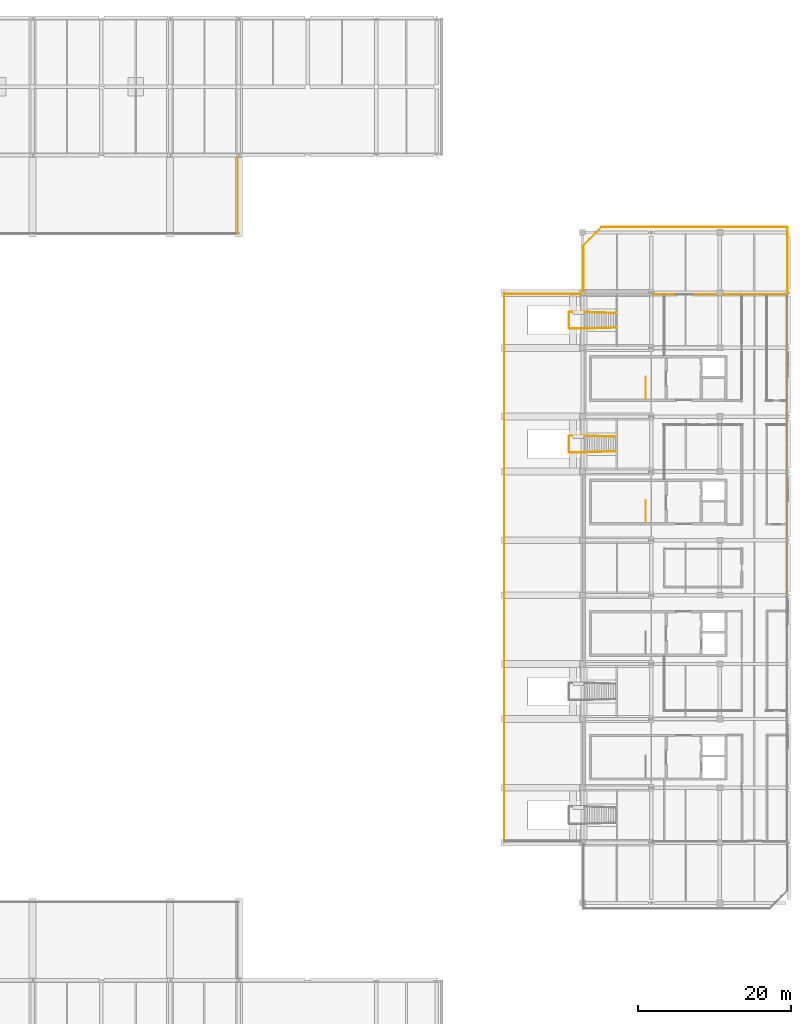
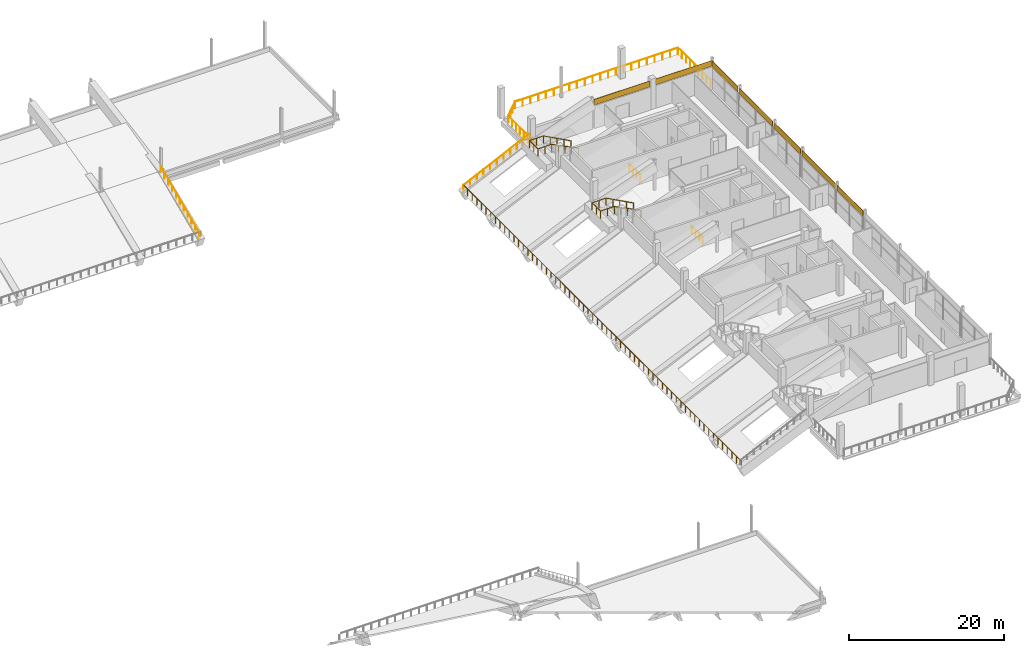
# One storey, part 66 of 66: 11 railings, 7 coverings.
"""IFC4 building model written with IfcOpenShell, lengths in metres."""

from ifc_helpers import new_model, si_unit, direction, frame, origin, origin_2d, place, context, subcontext, project, spatial, rectangle, circle, extrude, material, layer, layer_set, type_object, element, save


model = new_model("IFC4")

# Units and contexts
model_context = context("Model", 3, precision=1e-05, world=origin(), true_north=direction((0.0, 1.0)))
body_context = subcontext(model_context, "Body", "Model", "MODEL_VIEW")
ifc_project = project(units=[si_unit("LENGTHUNIT", "METRE"), si_unit("AREAUNIT", "SQUARE_METRE"), si_unit("VOLUMEUNIT", "CUBIC_METRE"), si_unit("PLANEANGLEUNIT", "RADIAN"), si_unit("MASSUNIT", "GRAM", prefix="KILO"), si_unit("THERMODYNAMICTEMPERATUREUNIT", "KELVIN"), si_unit("POWERUNIT", "WATT")], contexts=[model_context])

# Site, building, storey
site_placement = place(None, origin())
site = spatial("IfcSite", under=ifc_project, at=site_placement, CompositionType="ELEMENT")
building_placement = place(site_placement, origin())
building = spatial("IfcBuilding", under=site, at=building_placement, Name="Sindhuravela Promenade Stadium", CompositionType="ELEMENT")
storey_placement = place(building_placement, frame((0.0, 0.0, 19.199951171875)))
storey = spatial("IfcBuildingStorey", under=building, at=storey_placement, Name="L04", CompositionType="ELEMENT", Elevation=19.199951171875)

# Coverings
ifc_material_1 = material(Name="Polychrome trencadis ceramic mosaic", Category="masonry")
ifc_layer_1 = layer(ifc_material_1, 0.034912109375)
ifc_layer_set_1 = layer_set([ifc_layer_1], Name="Polychrome trencadis ceramic mosaic")
covering_type_1 = type_object("IfcCoveringType", Name="CV-TRENC-1", PredefinedType="CLADDING", material=ifc_layer_set_1)
covering_1_placement = place(storey_placement, frame((202.590087890625, 116.820068359375, 3.55517578125), z_axis=(0.0, 0.0, 1.0), x_axis=(1.0, 0.0, 0.0)))
element("IfcCovering", 1, at=covering_1_placement, inside=storey, type_object=covering_type_1, Name="Trencadis ceramic mosaic spandrel frieze EAST L04-228", PredefinedType="CLADDING", context=body_context, shape_type="SweptSolid", body=[
    extrude(rectangle(XDim=8.300048828125, YDim=0.034912109375, at=origin_2d()), origin(), (0.0, 0.0, 1.0), 0.905029296875),
])
for number, where, z_axis, x_axis, name in (
    (2, (206.820068359375, 105.300048828125, 3.55517578125), (0.0, 0.0, 1.0), (0.0, -1.0, 0.0), "Trencadis ceramic mosaic spandrel frieze EAST L04-230"),
    (3, (206.820068359375, 89.10009765625, 3.55517578125), (0.0, 0.0, 1.0), (0.0, -1.0, 0.0), "Trencadis ceramic mosaic spandrel frieze EAST L04-232"),
):
    element("IfcCovering", number, at=place(storey_placement, frame(where, z_axis=z_axis, x_axis=x_axis)), inside=storey, type_object=covering_type_1, Name=name, PredefinedType="CLADDING", context=body_context, shape_type="SweptSolid", body=[
        extrude(rectangle(XDim=8.570068359375, YDim=0.034912109375, at=origin_2d()), origin(), (0.0, 0.0, 1.0), 0.905029296875),
    ])
ifc_layer_2 = layer(ifc_material_1, 0.050048828125)
ifc_layer_set_2 = layer_set([ifc_layer_2], Name="Polychrome trencadis ceramic mosaic")
covering_type_2 = type_object("IfcCoveringType", Name="CV-TRENC-2", PredefinedType="CLADDING", material=ifc_layer_set_2)
covering_2_placement = place(storey_placement, frame((193.387451171875, 116.820068359375, 3.55517578125), z_axis=(0.0, 0.0, 1.0), x_axis=(1.0, 0.0, 0.0)))
element("IfcCovering", 4, at=covering_2_placement, inside=storey, type_object=covering_type_2, Name="Trencadis ceramic mosaic spandrel frieze EAST L04-227", PredefinedType="CLADDING", context=body_context, shape_type="SweptSolid", body=[
    extrude(rectangle(XDim=8.344970703125, YDim=0.050048828125, at=origin_2d()), origin(), (0.0, 0.0, 1.0), 0.905029296875),
])
covering_3_placement = place(storey_placement, frame((206.820068359375, 113.37744140625, 3.55517578125), z_axis=(0.0, 0.0, 1.0), x_axis=(0.0, -1.0, 0.0)))
element("IfcCovering", 5, at=covering_3_placement, inside=storey, type_object=covering_type_2, Name="Trencadis ceramic mosaic spandrel frieze EAST L04-229", PredefinedType="CLADDING", context=body_context, shape_type="SweptSolid", body=[
    extrude(rectangle(XDim=6.72509765625, YDim=0.050048828125, at=origin_2d()), origin(), (0.0, 0.0, 1.0), 0.905029296875),
])
for number, where, z_axis, x_axis, name in (
    (6, (206.820068359375, 97.199951171875, 3.55517578125), (0.0, 0.0, 1.0), (0.0, -1.0, 0.0), "Trencadis ceramic mosaic spandrel frieze EAST L04-231"),
    (7, (206.820068359375, 81.0, 3.55517578125), (0.0, 0.0, 1.0), (0.0, -1.0, 0.0), "Trencadis ceramic mosaic spandrel frieze EAST L04-233"),
):
    element("IfcCovering", number, at=place(storey_placement, frame(where, z_axis=z_axis, x_axis=x_axis)), inside=storey, type_object=covering_type_2, Name=name, PredefinedType="CLADDING", context=body_context, shape_type="SweptSolid", body=[
        extrude(rectangle(XDim=6.77001953125, YDim=0.050048828125, at=origin_2d()), origin(), (0.0, 0.0, 1.0), 0.905029296875),
    ])

# Railings
ifc_material_2 = material(Name="Architectural wrought steel E350", Category="steel")
railing_type_1 = type_object("IfcRailingType", Name="RL-BAL-1150", PredefinedType="BALUSTRADE", material=ifc_material_2)
railing_1_placement = place(storey_placement, frame((180.139892578125, 117.139892578125, 0.0)))
element("IfcRailing", 8, at=railing_1_placement, inside=storey, type_object=railing_type_1, Name="Terrace wrought balustrade BL01-37", PredefinedType="BALUSTRADE", context=body_context, shape_type="SweptSolid", body=[
    extrude(circle(Radius=0.02392578125, at=origin_2d()), frame((0.0, 0.0, 1.1259765625), z_axis=(0.0, 1.0, 0.0), x_axis=(-1.0, 0.0, 0.0)), (0.0, 0.0, 1.0), 6.10205078125),
    extrude(circle(Radius=0.02099609375, at=origin_2d()), origin(), (0.0, 0.0, 1.0), 1.101806640625),
    extrude(circle(Radius=0.02099609375, at=origin_2d()), frame((0.0, 1.01708984375, 0.0)), (0.0, 0.0, 1.0), 1.101806640625),
    extrude(circle(Radius=0.02099609375, at=origin_2d()), frame((0.0, 2.033935546875, 0.0)), (0.0, 0.0, 1.0), 1.101806640625),
    extrude(circle(Radius=0.02099609375, at=origin_2d()), frame((0.0, 3.051025390625, 0.0)), (0.0, 0.0, 1.0), 1.101806640625),
    extrude(circle(Radius=0.02099609375, at=origin_2d()), frame((0.0, 4.068115234375, 0.0)), (0.0, 0.0, 1.0), 1.101806640625),
    extrude(circle(Radius=0.02099609375, at=origin_2d()), frame((0.0, 5.0849609375, 0.0)), (0.0, 0.0, 1.0), 1.101806640625),
    extrude(circle(Radius=0.02099609375, at=origin_2d()), frame((0.0, 6.10205078125, 0.0)), (0.0, 0.0, 1.0), 1.101806640625),
])
railing_2_placement = place(storey_placement, frame((180.139892578125, 123.241943359375, 0.0)))
element("IfcRailing", 9, at=railing_2_placement, inside=storey, type_object=railing_type_1, Name="Terrace wrought balustrade BL01-38", PredefinedType="BALUSTRADE", context=body_context, shape_type="SweptSolid", body=[
    extrude(circle(Radius=0.02392578125, at=origin_2d()), frame((0.0, 0.0, 1.1259765625), z_axis=(0.7071067811865475, 0.7071067811865475, 0.0), x_axis=(-0.7071067811865476, 0.7071067811865476, 0.0)), (0.0, 0.0, 1.0), 3.34912109375),
    extrude(circle(Radius=0.02099609375, at=origin_2d()), origin(), (0.0, 0.0, 1.0), 1.101806640625),
    extrude(circle(Radius=0.02099609375, at=origin_2d()), frame((0.789306640625, 0.789306640625, 0.0)), (0.0, 0.0, 1.0), 1.101806640625),
    extrude(circle(Radius=0.02099609375, at=origin_2d()), frame((1.578857421875, 1.578857421875, 0.0)), (0.0, 0.0, 1.0), 1.101806640625),
    extrude(circle(Radius=0.02099609375, at=origin_2d()), frame((2.3681640625, 2.3681640625, 0.0)), (0.0, 0.0, 1.0), 1.101806640625),
])
railing_3_placement = place(storey_placement, frame((182.508056640625, 125.610107421875, 0.0)))
element("IfcRailing", 10, at=railing_3_placement, inside=storey, type_object=railing_type_1, Name="Terrace wrought balustrade BL01-39", PredefinedType="BALUSTRADE", context=body_context, shape_type="SweptSolid", body=[
    extrude(circle(Radius=0.02392578125, at=origin_2d()), frame((0.0, 0.0, 1.1259765625), z_axis=(1.0, 0.0, 0.0), x_axis=(0.0, 1.0, 0.0)), (0.0, 0.0, 1.0), 24.35205078125),
    extrude(circle(Radius=0.02099609375, at=origin_2d()), origin(), (0.0, 0.0, 1.0), 1.101806640625),
    extrude(circle(Radius=0.02099609375, at=origin_2d()), frame((1.15966796875, 0.0, 0.0)), (0.0, 0.0, 1.0), 1.101806640625),
    extrude(circle(Radius=0.02099609375, at=origin_2d()), frame((2.3193359375, 0.0, 0.0)), (0.0, 0.0, 1.0), 1.101806640625),
    extrude(circle(Radius=0.02099609375, at=origin_2d()), frame((3.478759765625, 0.0, 0.0)), (0.0, 0.0, 1.0), 1.101806640625),
    extrude(circle(Radius=0.02099609375, at=origin_2d()), frame((4.638427734375, 0.0, 0.0)), (0.0, 0.0, 1.0), 1.101806640625),
    extrude(circle(Radius=0.02099609375, at=origin_2d()), frame((5.798095703125, 0.0, 0.0)), (0.0, 0.0, 1.0), 1.101806640625),
    extrude(circle(Radius=0.02099609375, at=origin_2d()), frame((6.957763671875, 0.0, 0.0)), (0.0, 0.0, 1.0), 1.101806640625),
    extrude(circle(Radius=0.02099609375, at=origin_2d()), frame((8.117431640625, 0.0, 0.0)), (0.0, 0.0, 1.0), 1.101806640625),
    extrude(circle(Radius=0.02099609375, at=origin_2d()), frame((9.27685546875, 0.0, 0.0)), (0.0, 0.0, 1.0), 1.101806640625),
    extrude(circle(Radius=0.02099609375, at=origin_2d()), frame((10.4365234375, 0.0, 0.0)), (0.0, 0.0, 1.0), 1.101806640625),
    extrude(circle(Radius=0.02099609375, at=origin_2d()), frame((11.59619140625, 0.0, 0.0)), (0.0, 0.0, 1.0), 1.101806640625),
    extrude(circle(Radius=0.02099609375, at=origin_2d()), frame((12.755859375, 0.0, 0.0)), (0.0, 0.0, 1.0), 1.101806640625),
    extrude(circle(Radius=0.02099609375, at=origin_2d()), frame((13.91552734375, 0.0, 0.0)), (0.0, 0.0, 1.0), 1.101806640625),
    extrude(circle(Radius=0.02099609375, at=origin_2d()), frame((15.0751953125, 0.0, 0.0)), (0.0, 0.0, 1.0), 1.101806640625),
    extrude(circle(Radius=0.02099609375, at=origin_2d()), frame((16.234619140625, 0.0, 0.0)), (0.0, 0.0, 1.0), 1.101806640625),
    extrude(circle(Radius=0.02099609375, at=origin_2d()), frame((17.394287109375, 0.0, 0.0)), (0.0, 0.0, 1.0), 1.101806640625),
    extrude(circle(Radius=0.02099609375, at=origin_2d()), frame((18.553955078125, 0.0, 0.0)), (0.0, 0.0, 1.0), 1.101806640625),
    extrude(circle(Radius=0.02099609375, at=origin_2d()), frame((19.713623046875, 0.0, 0.0)), (0.0, 0.0, 1.0), 1.101806640625),
    extrude(circle(Radius=0.02099609375, at=origin_2d()), frame((20.873291015625, 0.0, 0.0)), (0.0, 0.0, 1.0), 1.101806640625),
    extrude(circle(Radius=0.02099609375, at=origin_2d()), frame((22.03271484375, 0.0, 0.0)), (0.0, 0.0, 1.0), 1.101806640625),
    extrude(circle(Radius=0.02099609375, at=origin_2d()), frame((23.1923828125, 0.0, 0.0)), (0.0, 0.0, 1.0), 1.101806640625),
    extrude(circle(Radius=0.02099609375, at=origin_2d()), frame((24.35205078125, 0.0, 0.0)), (0.0, 0.0, 1.0), 1.101806640625),
])
railing_4_placement = place(storey_placement, frame((206.860107421875, 125.610107421875, 0.0)))
element("IfcRailing", 11, at=railing_4_placement, inside=storey, type_object=railing_type_1, Name="Terrace wrought balustrade BL01-40", PredefinedType="BALUSTRADE", context=body_context, shape_type="SweptSolid", body=[
    extrude(circle(Radius=0.02392578125, at=origin_2d()), frame((0.0, 0.0, 1.1259765625), z_axis=(0.0, -1.0, 0.0), x_axis=(1.0, 0.0, 0.0)), (0.0, 0.0, 1.0), 8.47021484375),
    extrude(circle(Radius=0.02099609375, at=origin_2d()), origin(), (0.0, 0.0, 1.0), 1.101806640625),
    extrude(circle(Radius=0.02099609375, at=origin_2d()), frame((0.0, -1.058837890625, 0.0)), (0.0, 0.0, 1.0), 1.101806640625),
    extrude(circle(Radius=0.02099609375, at=origin_2d()), frame((0.0, -2.11767578125, 0.0)), (0.0, 0.0, 1.0), 1.101806640625),
    extrude(circle(Radius=0.02099609375, at=origin_2d()), frame((0.0, -3.17626953125, 0.0)), (0.0, 0.0, 1.0), 1.101806640625),
    extrude(circle(Radius=0.02099609375, at=origin_2d()), frame((0.0, -4.235107421875, 0.0)), (0.0, 0.0, 1.0), 1.101806640625),
    extrude(circle(Radius=0.02099609375, at=origin_2d()), frame((0.0, -5.2939453125, 0.0)), (0.0, 0.0, 1.0), 1.101806640625),
    extrude(circle(Radius=0.02099609375, at=origin_2d()), frame((0.0, -6.3525390625, 0.0)), (0.0, 0.0, 1.0), 1.101806640625),
    extrude(circle(Radius=0.02099609375, at=origin_2d()), frame((0.0, -7.411376953125, 0.0)), (0.0, 0.0, 1.0), 1.101806640625),
    extrude(circle(Radius=0.02099609375, at=origin_2d()), frame((0.0, -8.47021484375, 0.0)), (0.0, 0.0, 1.0), 1.101806640625),
])
railing_type_2 = type_object("IfcRailingType", Name="RL-GRD-1150", PredefinedType="GUARDRAIL", material=ifc_material_2)
railing_5_placement = place(storey_placement, frame((169.75, 45.0, -3.39990234375)))
element("IfcRailing", 12, at=railing_5_placement, inside=storey, type_object=railing_type_2, Name="Stand bowl crowd barrier GR01-108", PredefinedType="GUARDRAIL", context=body_context, shape_type="SweptSolid", body=[
    extrude(circle(Radius=0.02392578125, at=origin_2d()), frame((0.0, 0.0, 1.1259765625), z_axis=(0.0, 1.0, 0.0), x_axis=(-1.0, 0.0, 0.0)), (0.0, 0.0, 1.0), 72.0),
    extrude(circle(Radius=0.02099609375, at=origin_2d()), origin(), (0.0, 0.0, 1.0), 1.101806640625),
    extrude(circle(Radius=0.02099609375, at=origin_2d()), frame((0.0, 1.199951171875, 0.0)), (0.0, 0.0, 1.0), 1.101806640625),
    extrude(circle(Radius=0.02099609375, at=origin_2d()), frame((0.0, 2.39990234375, 0.0)), (0.0, 0.0, 1.0), 1.101806640625),
    extrude(circle(Radius=0.02099609375, at=origin_2d()), frame((0.0, 3.60009765625, 0.0)), (0.0, 0.0, 1.0), 1.101806640625),
    extrude(circle(Radius=0.02099609375, at=origin_2d()), frame((0.0, 4.800048828125, 0.0)), (0.0, 0.0, 1.0), 1.101806640625),
    extrude(circle(Radius=0.02099609375, at=origin_2d()), frame((0.0, 6.0, 0.0)), (0.0, 0.0, 1.0), 1.101806640625),
    extrude(circle(Radius=0.02099609375, at=origin_2d()), frame((0.0, 7.199951171875, 0.0)), (0.0, 0.0, 1.0), 1.101806640625),
    extrude(circle(Radius=0.02099609375, at=origin_2d()), frame((0.0, 8.39990234375, 0.0)), (0.0, 0.0, 1.0), 1.101806640625),
    extrude(circle(Radius=0.02099609375, at=origin_2d()), frame((0.0, 9.60009765625, 0.0)), (0.0, 0.0, 1.0), 1.101806640625),
    extrude(circle(Radius=0.02099609375, at=origin_2d()), frame((0.0, 10.800048828125, 0.0)), (0.0, 0.0, 1.0), 1.101806640625),
    extrude(circle(Radius=0.02099609375, at=origin_2d()), frame((0.0, 12.0, 0.0)), (0.0, 0.0, 1.0), 1.101806640625),
    extrude(circle(Radius=0.02099609375, at=origin_2d()), frame((0.0, 13.199951171875, 0.0)), (0.0, 0.0, 1.0), 1.101806640625),
    extrude(circle(Radius=0.02099609375, at=origin_2d()), frame((0.0, 14.39990234375, 0.0)), (0.0, 0.0, 1.0), 1.101806640625),
    extrude(circle(Radius=0.02099609375, at=origin_2d()), frame((0.0, 15.60009765625, 0.0)), (0.0, 0.0, 1.0), 1.101806640625),
    extrude(circle(Radius=0.02099609375, at=origin_2d()), frame((0.0, 16.800048828125, 0.0)), (0.0, 0.0, 1.0), 1.101806640625),
    extrude(circle(Radius=0.02099609375, at=origin_2d()), frame((0.0, 18.0, 0.0)), (0.0, 0.0, 1.0), 1.101806640625),
    extrude(circle(Radius=0.02099609375, at=origin_2d()), frame((0.0, 19.199951171875, 0.0)), (0.0, 0.0, 1.0), 1.101806640625),
    extrude(circle(Radius=0.02099609375, at=origin_2d()), frame((0.0, 20.39990234375, 0.0)), (0.0, 0.0, 1.0), 1.101806640625),
    extrude(circle(Radius=0.02099609375, at=origin_2d()), frame((0.0, 21.60009765625, 0.0)), (0.0, 0.0, 1.0), 1.101806640625),
    extrude(circle(Radius=0.02099609375, at=origin_2d()), frame((0.0, 22.800048828125, 0.0)), (0.0, 0.0, 1.0), 1.101806640625),
    extrude(circle(Radius=0.02099609375, at=origin_2d()), frame((0.0, 24.0, 0.0)), (0.0, 0.0, 1.0), 1.101806640625),
    extrude(circle(Radius=0.02099609375, at=origin_2d()), frame((0.0, 25.199951171875, 0.0)), (0.0, 0.0, 1.0), 1.101806640625),
    extrude(circle(Radius=0.02099609375, at=origin_2d()), frame((0.0, 26.39990234375, 0.0)), (0.0, 0.0, 1.0), 1.101806640625),
    extrude(circle(Radius=0.02099609375, at=origin_2d()), frame((0.0, 27.60009765625, 0.0)), (0.0, 0.0, 1.0), 1.101806640625),
    extrude(circle(Radius=0.02099609375, at=origin_2d()), frame((0.0, 28.800048828125, 0.0)), (0.0, 0.0, 1.0), 1.101806640625),
    extrude(circle(Radius=0.02099609375, at=origin_2d()), frame((0.0, 30.0, 0.0)), (0.0, 0.0, 1.0), 1.101806640625),
    extrude(circle(Radius=0.02099609375, at=origin_2d()), frame((0.0, 31.199951171875, 0.0)), (0.0, 0.0, 1.0), 1.101806640625),
    extrude(circle(Radius=0.02099609375, at=origin_2d()), frame((0.0, 32.39990234375, 0.0)), (0.0, 0.0, 1.0), 1.101806640625),
    extrude(circle(Radius=0.02099609375, at=origin_2d()), frame((0.0, 33.60009765625, 0.0)), (0.0, 0.0, 1.0), 1.101806640625),
    extrude(circle(Radius=0.02099609375, at=origin_2d()), frame((0.0, 34.800048828125, 0.0)), (0.0, 0.0, 1.0), 1.101806640625),
    extrude(circle(Radius=0.02099609375, at=origin_2d()), frame((0.0, 36.0, 0.0)), (0.0, 0.0, 1.0), 1.101806640625),
    extrude(circle(Radius=0.02099609375, at=origin_2d()), frame((0.0, 37.199951171875, 0.0)), (0.0, 0.0, 1.0), 1.101806640625),
    extrude(circle(Radius=0.02099609375, at=origin_2d()), frame((0.0, 38.39990234375, 0.0)), (0.0, 0.0, 1.0), 1.101806640625),
    extrude(circle(Radius=0.02099609375, at=origin_2d()), frame((0.0, 39.60009765625, 0.0)), (0.0, 0.0, 1.0), 1.101806640625),
    extrude(circle(Radius=0.02099609375, at=origin_2d()), frame((0.0, 40.800048828125, 0.0)), (0.0, 0.0, 1.0), 1.101806640625),
    extrude(circle(Radius=0.02099609375, at=origin_2d()), frame((0.0, 42.0, 0.0)), (0.0, 0.0, 1.0), 1.101806640625),
    extrude(circle(Radius=0.02099609375, at=origin_2d()), frame((0.0, 43.199951171875, 0.0)), (0.0, 0.0, 1.0), 1.101806640625),
    extrude(circle(Radius=0.02099609375, at=origin_2d()), frame((0.0, 44.39990234375, 0.0)), (0.0, 0.0, 1.0), 1.101806640625),
    extrude(circle(Radius=0.02099609375, at=origin_2d()), frame((0.0, 45.60009765625, 0.0)), (0.0, 0.0, 1.0), 1.101806640625),
    extrude(circle(Radius=0.02099609375, at=origin_2d()), frame((0.0, 46.800048828125, 0.0)), (0.0, 0.0, 1.0), 1.101806640625),
    extrude(circle(Radius=0.02099609375, at=origin_2d()), frame((0.0, 48.0, 0.0)), (0.0, 0.0, 1.0), 1.101806640625),
    extrude(circle(Radius=0.02099609375, at=origin_2d()), frame((0.0, 49.199951171875, 0.0)), (0.0, 0.0, 1.0), 1.101806640625),
    extrude(circle(Radius=0.02099609375, at=origin_2d()), frame((0.0, 50.39990234375, 0.0)), (0.0, 0.0, 1.0), 1.101806640625),
    extrude(circle(Radius=0.02099609375, at=origin_2d()), frame((0.0, 51.60009765625, 0.0)), (0.0, 0.0, 1.0), 1.101806640625),
    extrude(circle(Radius=0.02099609375, at=origin_2d()), frame((0.0, 52.800048828125, 0.0)), (0.0, 0.0, 1.0), 1.101806640625),
    extrude(circle(Radius=0.02099609375, at=origin_2d()), frame((0.0, 54.0, 0.0)), (0.0, 0.0, 1.0), 1.101806640625),
    extrude(circle(Radius=0.02099609375, at=origin_2d()), frame((0.0, 55.199951171875, 0.0)), (0.0, 0.0, 1.0), 1.101806640625),
    extrude(circle(Radius=0.02099609375, at=origin_2d()), frame((0.0, 56.39990234375, 0.0)), (0.0, 0.0, 1.0), 1.101806640625),
    extrude(circle(Radius=0.02099609375, at=origin_2d()), frame((0.0, 57.60009765625, 0.0)), (0.0, 0.0, 1.0), 1.101806640625),
    extrude(circle(Radius=0.02099609375, at=origin_2d()), frame((0.0, 58.800048828125, 0.0)), (0.0, 0.0, 1.0), 1.101806640625),
    extrude(circle(Radius=0.02099609375, at=origin_2d()), frame((0.0, 60.0, 0.0)), (0.0, 0.0, 1.0), 1.101806640625),
    extrude(circle(Radius=0.02099609375, at=origin_2d()), frame((0.0, 61.199951171875, 0.0)), (0.0, 0.0, 1.0), 1.101806640625),
    extrude(circle(Radius=0.02099609375, at=origin_2d()), frame((0.0, 62.39990234375, 0.0)), (0.0, 0.0, 1.0), 1.101806640625),
    extrude(circle(Radius=0.02099609375, at=origin_2d()), frame((0.0, 63.60009765625, 0.0)), (0.0, 0.0, 1.0), 1.101806640625),
    extrude(circle(Radius=0.02099609375, at=origin_2d()), frame((0.0, 64.800048828125, 0.0)), (0.0, 0.0, 1.0), 1.101806640625),
    extrude(circle(Radius=0.02099609375, at=origin_2d()), frame((0.0, 66.0, 0.0)), (0.0, 0.0, 1.0), 1.101806640625),
    extrude(circle(Radius=0.02099609375, at=origin_2d()), frame((0.0, 67.199951171875, 0.0)), (0.0, 0.0, 1.0), 1.101806640625),
    extrude(circle(Radius=0.02099609375, at=origin_2d()), frame((0.0, 68.39990234375, 0.0)), (0.0, 0.0, 1.0), 1.101806640625),
    extrude(circle(Radius=0.02099609375, at=origin_2d()), frame((0.0, 69.60009765625, 0.0)), (0.0, 0.0, 1.0), 1.101806640625),
    extrude(circle(Radius=0.02099609375, at=origin_2d()), frame((0.0, 70.800048828125, 0.0)), (0.0, 0.0, 1.0), 1.101806640625),
    extrude(circle(Radius=0.02099609375, at=origin_2d()), frame((0.0, 72.0, 0.0)), (0.0, 0.0, 1.0), 1.101806640625),
])
railing_6_placement = place(storey_placement, frame((169.75, 116.85009765625, -3.39990234375)))
element("IfcRailing", 13, at=railing_6_placement, inside=storey, type_object=railing_type_2, Name="Stand bowl crowd barrier GR01-110", PredefinedType="GUARDRAIL", context=body_context, shape_type="SweptSolid", body=[
    extrude(circle(Radius=0.02392578125, at=origin_2d()), frame((0.0, 0.0, 1.1259765625), z_axis=(0.9032775043542898, 0.0, 0.42905681456828765), x_axis=(0.0, 1.0, 0.0)), (0.0, 0.0, 1.0), 11.07080078125),
    extrude(circle(Radius=0.02099609375, at=origin_2d()), origin(), (0.0, 0.0, 1.0), 1.101806640625),
    extrude(circle(Radius=0.02099609375, at=origin_2d()), frame((1.0, 0.0, 0.47509765625)), (0.0, 0.0, 1.0), 1.101806640625),
    extrude(circle(Radius=0.02099609375, at=origin_2d()), frame((2.0, 0.0, 0.949951171875)), (0.0, 0.0, 1.0), 1.101806640625),
    extrude(circle(Radius=0.02099609375, at=origin_2d()), frame((3.0, 0.0, 1.425048828125)), (0.0, 0.0, 1.0), 1.101806640625),
    extrude(circle(Radius=0.02099609375, at=origin_2d()), frame((4.0, 0.0, 1.89990234375)), (0.0, 0.0, 1.0), 1.101806640625),
    extrude(circle(Radius=0.02099609375, at=origin_2d()), frame((5.0, 0.0, 2.375)), (0.0, 0.0, 1.0), 1.101806640625),
    extrude(circle(Radius=0.02099609375, at=origin_2d()), frame((6.0, 0.0, 2.85009765625)), (0.0, 0.0, 1.0), 1.101806640625),
    extrude(circle(Radius=0.02099609375, at=origin_2d()), frame((7.0, 0.0, 3.324951171875)), (0.0, 0.0, 1.0), 1.101806640625),
    extrude(circle(Radius=0.02099609375, at=origin_2d()), frame((8.0, 0.0, 3.800048828125)), (0.0, 0.0, 1.0), 1.101806640625),
    extrude(circle(Radius=0.02099609375, at=origin_2d()), frame((9.0, 0.0, 4.27490234375)), (0.0, 0.0, 1.0), 1.101806640625),
    extrude(circle(Radius=0.02099609375, at=origin_2d()), frame((10.0, 0.0, 4.75)), (0.0, 0.0, 1.0), 1.101806640625),
])
railing_7_placement = place(storey_placement, frame((134.85009765625, 124.75, -3.39990234375)))
element("IfcRailing", 14, at=railing_7_placement, inside=storey, type_object=railing_type_2, Name="Stand bowl crowd barrier GR01-116", PredefinedType="GUARDRAIL", context=body_context, shape_type="SweptSolid", body=[
    extrude(circle(Radius=0.02392578125, at=origin_2d()), frame((0.0, 0.0, 1.1259765625), z_axis=(0.0, 0.9153183274729262, 0.4027311254325458), x_axis=(-1.0, 0.0, 0.0)), (0.0, 0.0, 1.0), 10.925048828125),
    extrude(circle(Radius=0.02099609375, at=origin_2d()), origin(), (0.0, 0.0, 1.0), 1.101806640625),
    extrude(circle(Radius=0.02099609375, at=origin_2d()), frame((0.0, 1.0, 0.43994140625)), (0.0, 0.0, 1.0), 1.101806640625),
    extrude(circle(Radius=0.02099609375, at=origin_2d()), frame((0.0, 2.0, 0.8798828125)), (0.0, 0.0, 1.0), 1.101806640625),
    extrude(circle(Radius=0.02099609375, at=origin_2d()), frame((0.0, 3.0, 1.320068359375)), (0.0, 0.0, 1.0), 1.101806640625),
    extrude(circle(Radius=0.02099609375, at=origin_2d()), frame((0.0, 4.0, 1.760009765625)), (0.0, 0.0, 1.0), 1.101806640625),
    extrude(circle(Radius=0.02099609375, at=origin_2d()), frame((0.0, 5.0, 2.199951171875)), (0.0, 0.0, 1.0), 1.101806640625),
    extrude(circle(Radius=0.02099609375, at=origin_2d()), frame((0.0, 6.0, 2.639892578125)), (0.0, 0.0, 1.0), 1.101806640625),
    extrude(circle(Radius=0.02099609375, at=origin_2d()), frame((0.0, 7.0, 3.079833984375)), (0.0, 0.0, 1.0), 1.101806640625),
    extrude(circle(Radius=0.02099609375, at=origin_2d()), frame((0.0, 8.0, 3.52001953125)), (0.0, 0.0, 1.0), 1.101806640625),
    extrude(circle(Radius=0.02099609375, at=origin_2d()), frame((0.0, 9.0, 3.9599609375)), (0.0, 0.0, 1.0), 1.101806640625),
    extrude(circle(Radius=0.02099609375, at=origin_2d()), frame((0.0, 10.0, 4.39990234375)), (0.0, 0.0, 1.0), 1.101806640625),
])
for number, where, name in (
    (15, (188.280029296875, 86.9599609375, 0.0), "Stair ST07 top landing well guard (L04)"),
    (16, (188.280029296875, 103.159912109375, 0.0), "Stair ST08 top landing well guard (L04)"),
):
    element("IfcRailing", number, at=place(storey_placement, frame(where)), inside=storey, type_object=railing_type_2, Name=name, PredefinedType="GUARDRAIL", context=body_context, shape_type="SweptSolid", body=[
        extrude(circle(Radius=0.02392578125, at=origin_2d()), frame((0.0, 0.0, 1.1259765625), z_axis=(0.0, 1.0, 0.0), x_axis=(-1.0, 0.0, 0.0)), (0.0, 0.0, 1.0), 2.830078125),
        extrude(circle(Radius=0.02099609375, at=origin_2d()), origin(), (0.0, 0.0, 1.0), 1.101806640625),
        extrude(circle(Radius=0.02099609375, at=origin_2d()), frame((0.0, 0.943359375, 0.0)), (0.0, 0.0, 1.0), 1.101806640625),
        extrude(circle(Radius=0.02099609375, at=origin_2d()), frame((0.0, 1.88671875, 0.0)), (0.0, 0.0, 1.0), 1.101806640625),
        extrude(circle(Radius=0.02099609375, at=origin_2d()), frame((0.0, 2.830078125, 0.0)), (0.0, 0.0, 1.0), 1.101806640625),
    ])
railing_8_placement = place(storey_placement, frame((184.35009765625, 98.159912109375, 0.0)))
element("IfcRailing", 17, at=railing_8_placement, inside=storey, type_object=railing_type_2, Name="Vomitory VS16 flight & platform guard", PredefinedType="GUARDRAIL", context=body_context, shape_type="SweptSolid", body=[
    extrude(circle(Radius=0.02392578125, at=origin_2d()), frame((0.0, 0.0, 1.1259765625), z_axis=(-0.8864493807284547, 0.028622858177031946, 0.4619396360953636), x_axis=(-0.032272512505375314, -0.999479106803434, 0.0)), (0.0, 0.0, 1.0), 4.546142578125),
    extrude(circle(Radius=0.02392578125, at=origin_2d()), frame((-4.030029296875, 0.130126953125, 3.22607421875), z_axis=(-1.0, 0.0, 0.0), x_axis=(0.0, -1.0, 0.0)), (0.0, 0.0, 1.0), 2.070068359375),
    extrude(circle(Radius=0.02392578125, at=origin_2d()), frame((-6.10009765625, 0.130126953125, 3.22607421875), z_axis=(0.0, -1.0, 0.0), x_axis=(1.0, 0.0, 0.0)), (0.0, 0.0, 1.0), 2.179931640625),
    extrude(circle(Radius=0.02392578125, at=origin_2d()), frame((-6.10009765625, -2.0498046875, 3.22607421875), z_axis=(1.0, 0.0, 0.0), x_axis=(0.0, 1.0, 0.0)), (0.0, 0.0, 1.0), 2.070068359375),
    extrude(circle(Radius=0.02392578125, at=origin_2d()), frame((-4.030029296875, -2.0498046875, 3.22607421875), z_axis=(0.8864507420042823, 0.028569200626781255, -0.4619403454728804), x_axis=(-0.032212026586737615, 0.9994810580211989, 0.0)), (0.0, 0.0, 1.0), 4.546142578125),
    extrude(circle(Radius=0.02099609375, at=origin_2d()), origin(), (0.0, 0.0, 1.0), 1.101806640625),
    extrude(circle(Radius=0.02099609375, at=origin_2d()), frame((-1.007568359375, 0.032470703125, 0.52490234375)), (0.0, 0.0, 1.0), 1.101806640625),
    extrude(circle(Radius=0.02099609375, at=origin_2d()), frame((-2.01513671875, 0.06494140625, 1.050048828125)), (0.0, 0.0, 1.0), 1.101806640625),
    extrude(circle(Radius=0.02099609375, at=origin_2d()), frame((-3.0224609375, 0.09765625, 1.5751953125)), (0.0, 0.0, 1.0), 1.101806640625),
    extrude(circle(Radius=0.02099609375, at=origin_2d()), frame((-4.030029296875, 0.130126953125, 2.10009765625)), (0.0, 0.0, 1.0), 1.101806640625),
    extrude(circle(Radius=0.02099609375, at=origin_2d()), frame((-5.06494140625, 0.130126953125, 2.10009765625)), (0.0, 0.0, 1.0), 1.101806640625),
    extrude(circle(Radius=0.02099609375, at=origin_2d()), frame((-6.10009765625, 0.130126953125, 2.10009765625)), (0.0, 0.0, 1.0), 1.101806640625),
    extrude(circle(Radius=0.02099609375, at=origin_2d()), frame((-6.10009765625, -0.9599609375, 2.10009765625)), (0.0, 0.0, 1.0), 1.101806640625),
    extrude(circle(Radius=0.02099609375, at=origin_2d()), frame((-6.10009765625, -2.0498046875, 2.10009765625)), (0.0, 0.0, 1.0), 1.101806640625),
    extrude(circle(Radius=0.02099609375, at=origin_2d()), frame((-5.06494140625, -2.0498046875, 2.10009765625)), (0.0, 0.0, 1.0), 1.101806640625),
    extrude(circle(Radius=0.02099609375, at=origin_2d()), frame((-4.030029296875, -2.0498046875, 2.10009765625)), (0.0, 0.0, 1.0), 1.101806640625),
    extrude(circle(Radius=0.02099609375, at=origin_2d()), frame((-3.0224609375, -2.017333984375, 1.5751953125)), (0.0, 0.0, 1.0), 1.101806640625),
    extrude(circle(Radius=0.02099609375, at=origin_2d()), frame((-2.01513671875, -1.98486328125, 1.050048828125)), (0.0, 0.0, 1.0), 1.101806640625),
    extrude(circle(Radius=0.02099609375, at=origin_2d()), frame((-1.007568359375, -1.952392578125, 0.52490234375)), (0.0, 0.0, 1.0), 1.101806640625),
    extrude(circle(Radius=0.02099609375, at=origin_2d()), frame((0.0, -1.919921875, 0.0)), (0.0, 0.0, 1.0), 1.101806640625),
])
railing_9_placement = place(storey_placement, frame((184.35009765625, 114.360107421875, 0.0)))
element("IfcRailing", 18, at=railing_9_placement, inside=storey, type_object=railing_type_2, Name="Vomitory CS04 flight & platform guard", PredefinedType="GUARDRAIL", context=body_context, shape_type="SweptSolid", body=[
    extrude(circle(Radius=0.02392578125, at=origin_2d()), frame((0.0, 0.0, 1.1259765625), z_axis=(-0.8864507420042823, 0.028569200626781255, 0.4619403454728804), x_axis=(-0.032212026586737615, -0.9994810580211989, 0.0)), (0.0, 0.0, 1.0), 4.546142578125),
    extrude(circle(Radius=0.02392578125, at=origin_2d()), frame((-4.030029296875, 0.1298828125, 3.22607421875), z_axis=(-1.0, 0.0, 0.0), x_axis=(0.0, -1.0, 0.0)), (0.0, 0.0, 1.0), 2.070068359375),
    extrude(circle(Radius=0.02392578125, at=origin_2d()), frame((-6.10009765625, 0.1298828125, 3.22607421875), z_axis=(0.0, -1.0, 0.0), x_axis=(1.0, 0.0, 0.0)), (0.0, 0.0, 1.0), 2.179931640625),
    extrude(circle(Radius=0.02392578125, at=origin_2d()), frame((-6.10009765625, -2.050048828125, 3.22607421875), z_axis=(1.0, 0.0, 0.0), x_axis=(0.0, 1.0, 0.0)), (0.0, 0.0, 1.0), 2.070068359375),
    extrude(circle(Radius=0.02392578125, at=origin_2d()), frame((-4.030029296875, -2.050048828125, 3.22607421875), z_axis=(0.8864507420042823, 0.028569200626781255, -0.4619403454728804), x_axis=(-0.032212026586737615, 0.9994810580211989, 0.0)), (0.0, 0.0, 1.0), 4.546142578125),
    extrude(circle(Radius=0.02099609375, at=origin_2d()), origin(), (0.0, 0.0, 1.0), 1.101806640625),
    extrude(circle(Radius=0.02099609375, at=origin_2d()), frame((-1.007568359375, 0.032470703125, 0.52490234375)), (0.0, 0.0, 1.0), 1.101806640625),
    extrude(circle(Radius=0.02099609375, at=origin_2d()), frame((-2.01513671875, 0.06494140625, 1.050048828125)), (0.0, 0.0, 1.0), 1.101806640625),
    extrude(circle(Radius=0.02099609375, at=origin_2d()), frame((-3.0224609375, 0.097412109375, 1.5751953125)), (0.0, 0.0, 1.0), 1.101806640625),
    extrude(circle(Radius=0.02099609375, at=origin_2d()), frame((-4.030029296875, 0.1298828125, 2.10009765625)), (0.0, 0.0, 1.0), 1.101806640625),
    extrude(circle(Radius=0.02099609375, at=origin_2d()), frame((-5.06494140625, 0.1298828125, 2.10009765625)), (0.0, 0.0, 1.0), 1.101806640625),
    extrude(circle(Radius=0.02099609375, at=origin_2d()), frame((-6.10009765625, 0.1298828125, 2.10009765625)), (0.0, 0.0, 1.0), 1.101806640625),
    extrude(circle(Radius=0.02099609375, at=origin_2d()), frame((-6.10009765625, -0.9599609375, 2.10009765625)), (0.0, 0.0, 1.0), 1.101806640625),
    extrude(circle(Radius=0.02099609375, at=origin_2d()), frame((-6.10009765625, -2.050048828125, 2.10009765625)), (0.0, 0.0, 1.0), 1.101806640625),
    extrude(circle(Radius=0.02099609375, at=origin_2d()), frame((-5.06494140625, -2.050048828125, 2.10009765625)), (0.0, 0.0, 1.0), 1.101806640625),
    extrude(circle(Radius=0.02099609375, at=origin_2d()), frame((-4.030029296875, -2.050048828125, 2.10009765625)), (0.0, 0.0, 1.0), 1.101806640625),
    extrude(circle(Radius=0.02099609375, at=origin_2d()), frame((-3.0224609375, -2.017578125, 1.5751953125)), (0.0, 0.0, 1.0), 1.101806640625),
    extrude(circle(Radius=0.02099609375, at=origin_2d()), frame((-2.01513671875, -1.985107421875, 1.050048828125)), (0.0, 0.0, 1.0), 1.101806640625),
    extrude(circle(Radius=0.02099609375, at=origin_2d()), frame((-1.007568359375, -1.95263671875, 0.52490234375)), (0.0, 0.0, 1.0), 1.101806640625),
    extrude(circle(Radius=0.02099609375, at=origin_2d()), frame((0.0, -1.920166015625, 0.0)), (0.0, 0.0, 1.0), 1.101806640625),
])

save(model, "model.ifc")
